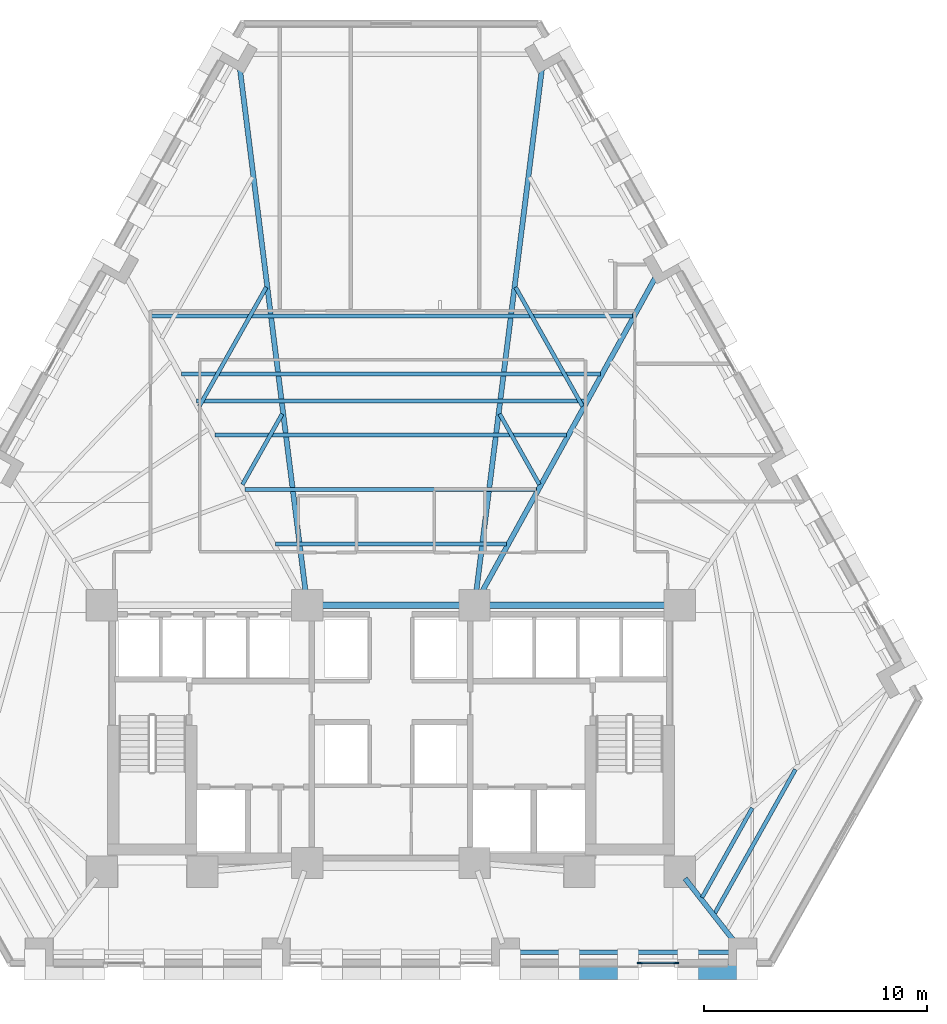
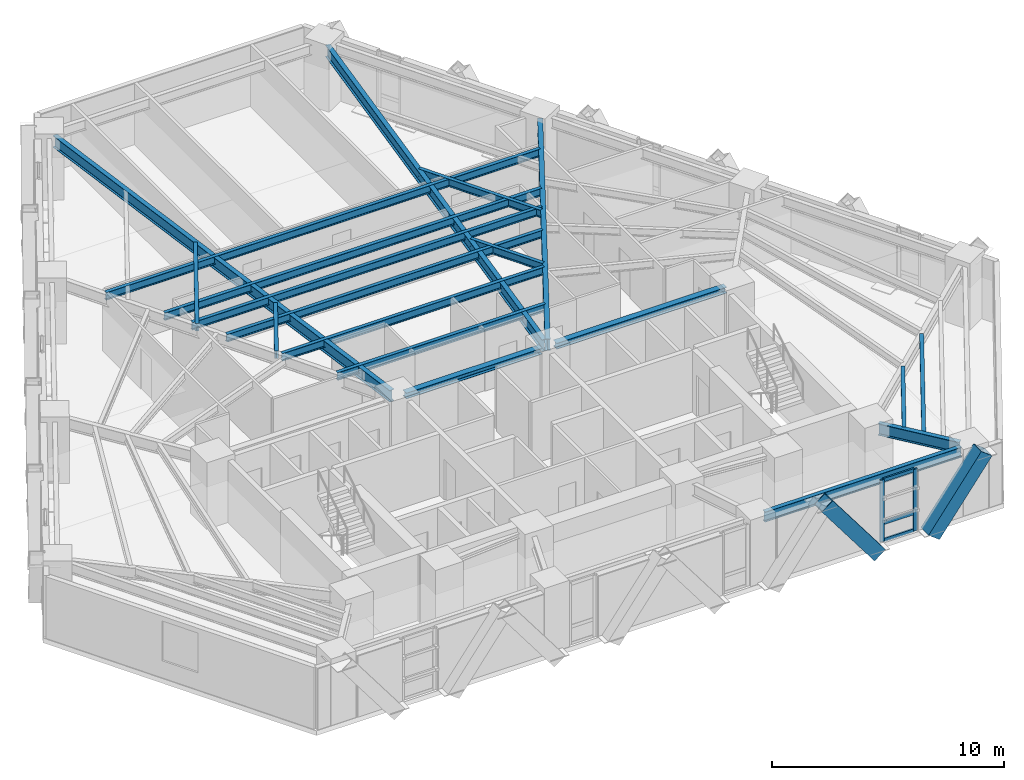
# One storey, part 3 of 13: 19 beams, 7 members, 1 element without a shape of its own.
"""IFC4 building model written with IfcOpenShell, lengths in metres."""

import ifcopenshell
import ifcopenshell.guid

model = None  # the IFC model being written
_history = None  # IfcOwnerHistory: only IFC2X3 demands one
_inside = {}  # id of a spatial element -> (the spatial element, [elements in it])
_under = {}  # id of a project, library or spatial element -> (it, [spatial elements below it])
_declared = {}  # id of a project -> (the project, [libraries it declares])
_typed = {}  # id of a type object -> (the type object, [elements of that type])
_made_of = {}  # id of a material, layer set ... -> (it, [elements and type objects made of it])


def new_model(schema):
    """Start an empty IFC model of exactly this schema.

    Asked for "IFC4X3", IfcOpenShell would pick the latest addendum, in which some entities
    have other attributes; the version numbers below select the first issue.
    IFC2X3 requires an IfcOwnerHistory on every rooted entity: one is made here for all.
    """
    global model, _history
    if schema == "IFC4X3":
        model = ifcopenshell.file(schema_version=(4, 3, 0, 0))
    else:
        model = ifcopenshell.file(schema=schema)
    _inside.clear()
    _under.clear()
    _declared.clear()
    _typed.clear()
    _made_of.clear()
    _history = None
    if model.schema == "IFC2X3":
        org = make("IfcOrganization", Name="unknown")
        user = make(
            "IfcPersonAndOrganization",
            ThePerson=make("IfcPerson", FamilyName="unknown"),
            TheOrganization=org,
        )
        app = make(
            "IfcApplication",
            ApplicationDeveloper=org,
            Version="unknown",
            ApplicationFullName="unknown",
            ApplicationIdentifier="unknown",
        )
        _history = make(
            "IfcOwnerHistory",
            OwningUser=user,
            OwningApplication=app,
            ChangeAction="ADDED",
            CreationDate=0,
        )
    return model


def make(cls, **values):
    """One entity of the class cls with the attributes given. An attribute that is None is left unset."""
    return model.create_entity(
        cls, **{name: value for name, value in values.items() if value is not None}
    )


def rooted(cls, **values):
    """An entity with a GlobalId (a new one), such as an element, a storey or a relation."""
    return make(cls, GlobalId=ifcopenshell.guid.new(), OwnerHistory=_history, **values)


def si_unit(unit_type, name, prefix=None):
    """IfcSIUnit, for example si_unit("LENGTHUNIT", "METRE", prefix="MILLI")."""
    return make("IfcSIUnit", UnitType=unit_type, Prefix=prefix, Name=name)


def assignment(units):
    """IfcUnitAssignment: the units of a project."""
    return None if units is None else make("IfcUnitAssignment", Units=units)


def point(xyz):
    """IfcCartesianPoint."""
    return None if xyz is None else make("IfcCartesianPoint", Coordinates=xyz)


def direction(xyz):
    """IfcDirection."""
    return None if xyz is None else make("IfcDirection", DirectionRatios=xyz)


def frame(location, z_axis=None, x_axis=None):
    """IfcAxis2Placement3D, a coordinate frame: its origin and axes. An axis left out is left unset."""
    return make(
        "IfcAxis2Placement3D",
        Location=point(location),
        Axis=direction(z_axis),
        RefDirection=direction(x_axis),
    )


def frame_2d(location, x_axis=None):
    """IfcAxis2Placement2D, a coordinate frame in the plane: its origin and x axis."""
    return make(
        "IfcAxis2Placement2D", Location=point(location), RefDirection=direction(x_axis)
    )


def origin():
    """The frame at (0, 0, 0) with its axes left unset."""
    return frame((0.0, 0.0, 0.0))


def origin_2d():
    """The frame at (0, 0) in the plane with its x axis left unset."""
    return frame_2d((0.0, 0.0))


def place(relative_to, where):
    """IfcLocalPlacement: puts the frame where relative to a parent placement (None: the world)."""
    return make(
        "IfcLocalPlacement", PlacementRelTo=relative_to, RelativePlacement=where
    )


def context(
    kind, dimensions, precision=None, world=None, true_north=None, identifier=None
):
    """IfcGeometricRepresentationContext, for example the 3D "Model" context."""
    return make(
        "IfcGeometricRepresentationContext",
        ContextIdentifier=identifier,
        ContextType=kind,
        CoordinateSpaceDimension=dimensions,
        Precision=precision,
        WorldCoordinateSystem=world,
        TrueNorth=true_north,
    )


def subcontext(parent, identifier, kind, view, scale=None):
    """IfcGeometricRepresentationSubContext, for example "Body" below "Model"."""
    return make(
        "IfcGeometricRepresentationSubContext",
        ContextIdentifier=identifier,
        ContextType=kind,
        ParentContext=parent,
        TargetScale=scale,
        TargetView=view,
    )


def project(units=None, contexts=None):
    """IfcProject with its units and contexts."""
    return rooted(
        "IfcProject",
        Name="project",
        RepresentationContexts=contexts,
        UnitsInContext=assignment(units),
    )


def spatial(cls, under=None, at=None, **own):
    """A site, building, storey or space (cls), placed at a placement, below another one or the project."""
    s = rooted(cls, ObjectPlacement=at, **own)
    if under is not None:
        _under.setdefault(under.id(), (under, []))[1].append(s)
    return s


def profile(cls, at=None, kind="AREA", **sizes):
    """A parametric profile (cls). Its sizes go by their IFC names, for example OverallWidth=200.0."""
    return make(cls, ProfileType=kind, Position=at, **sizes)


def rectangle(**sizes):
    """IfcRectangleProfileDef."""
    return profile("IfcRectangleProfileDef", **sizes)


def hollow_rectangle(**sizes):
    """IfcRectangleHollowProfileDef."""
    return profile("IfcRectangleHollowProfileDef", **sizes)


def i_section(**sizes):
    """IfcIShapeProfileDef."""
    return profile("IfcIShapeProfileDef", **sizes)


def extrude(swept, where, along, depth):
    """IfcExtrudedAreaSolid: the profile swept, set in the frame where, extruded along a direction by depth."""
    return make(
        "IfcExtrudedAreaSolid",
        SweptArea=swept,
        Position=where,
        ExtrudedDirection=direction(along),
        Depth=depth,
    )


def shape(context_of_items, identifier, shape_type, items):
    """IfcShapeRepresentation: the items that make up one representation, for example the "Body"."""
    return make(
        "IfcShapeRepresentation",
        ContextOfItems=context_of_items,
        RepresentationIdentifier=identifier,
        RepresentationType=shape_type,
        Items=items,
    )


def material(Name=None, Category=None):
    """IfcMaterial."""
    return make("IfcMaterial", Name=Name, Category=Category)


def material_profile(
    of_material, cross_section, Name=None, Category=None, Priority=None
):
    """IfcMaterialProfile: a cross section and its material."""
    return make(
        "IfcMaterialProfile",
        Name=Name,
        Material=of_material,
        Profile=cross_section,
        Priority=Priority,
        Category=Category,
    )


def profile_set(profiles, Name=None, composite=None):
    """IfcMaterialProfileSet."""
    return make(
        "IfcMaterialProfileSet",
        Name=Name,
        MaterialProfiles=profiles,
        CompositeProfile=composite,
    )


def made_of(thing, what):
    """Note that an element or type object is made of a material, layer set ...; save() writes the relation."""
    if what is not None:
        _made_of.setdefault(what.id(), (what, []))[1].append(thing)
    return thing


def type_object(cls, material=None, **own):
    """A type object (cls), such as IfcWallType, which elements share."""
    return made_of(rooted(cls, **own), material)


def element(
    cls,
    number,
    at=None,
    inside=None,
    cuts=None,
    type_object=None,
    material=None,
    context=None,
    identifier="Body",
    shape_type=None,
    held_by="IfcProductDefinitionShape",
    body=None,
    shapes=None,
    **own,
):
    """One element of the class cls, such as IfcWall. Its Tag is "e" and its number.

    at: its placement. inside: the storey or other place that contains it. cuts: it is an
    opening in that element (IfcRelVoidsElement). A single representation is given by context,
    identifier, shape_type and body (its items); several are given by shapes. held_by: the class
    of the entity that holds the representations. save() writes the other relations.
    """
    e = rooted(cls, Tag="e%d" % number, ObjectPlacement=at, **own)
    if body is not None:
        shapes = [shape(context, identifier, shape_type, body)]
    if shapes is not None:
        e.Representation = make(held_by, Representations=shapes)
    if inside is not None:
        _inside.setdefault(inside.id(), (inside, []))[1].append(e)
    if cuts is not None:
        rooted(
            "IfcRelVoidsElement", RelatingBuildingElement=cuts, RelatedOpeningElement=e
        )
    if type_object is not None:
        _typed.setdefault(type_object.id(), (type_object, []))[1].append(e)
    return made_of(e, material)


def aggregate(whole, parts):
    """IfcRelAggregates: a whole, such as a stair, and the parts it consists of."""
    return rooted("IfcRelAggregates", RelatingObject=whole, RelatedObjects=parts)


def save(model, path):
    """Write the relations noted so far, then the file.

    IfcRelAggregates (storeys below a building ...), IfcRelContainedInSpatialStructure (elements
    in a storey), IfcRelDefinesByType, IfcRelAssociatesMaterial and IfcRelDeclares: one each for
    every whole, place, type object, material and project.
    """
    for whole, parts in _under.values():
        aggregate(whole, parts)
    for where, things in _inside.values():
        rooted(
            "IfcRelContainedInSpatialStructure",
            RelatedElements=things,
            RelatingStructure=where,
        )
    for kind, things in _typed.values():
        rooted("IfcRelDefinesByType", RelatedObjects=things, RelatingType=kind)
    for what, things in _made_of.values():
        rooted("IfcRelAssociatesMaterial", RelatedObjects=things, RelatingMaterial=what)
    for by, libraries in _declared.values():
        rooted("IfcRelDeclares", RelatingContext=by, RelatedDefinitions=libraries)
    model.write(path)


model = new_model("IFC4")

# Units and contexts
model_context = context("Model", 3, precision=1e-05, world=origin(), true_north=direction((0.0, 1.0)))
body_context = subcontext(model_context, "Body", "Model", "MODEL_VIEW")
ifc_project = project(units=[si_unit("LENGTHUNIT", "METRE"), si_unit("AREAUNIT", "SQUARE_METRE"), si_unit("VOLUMEUNIT", "CUBIC_METRE"), si_unit("PLANEANGLEUNIT", "RADIAN"), si_unit("MASSUNIT", "GRAM", prefix="KILO")], contexts=[model_context])

# Site, building, storey
site_placement = place(None, origin())
site = spatial("IfcSite", under=ifc_project, at=site_placement, CompositionType="ELEMENT")
building_placement = place(site_placement, origin())
building = spatial("IfcBuilding", under=site, at=building_placement, Name="Quenlor Broadcast Tower", CompositionType="ELEMENT")
storey_placement = place(building_placement, frame((0.0, 0.0, 34.60009765625)))
storey = spatial("IfcBuildingStorey", under=building, at=storey_placement, Name="L08", CompositionType="ELEMENT", Elevation=34.60009765625)

# Curtain wall, members
ifc_material_1 = material(Name="Architectural Terracotta and Low-E Glazing", Category="masonry")
curtain_wall_type = type_object("IfcCurtainWallType", Name="Unitised Terracotta Curtain Wall System Z1", PredefinedType="NOTDEFINED", material=ifc_material_1)
curtain_wall_placement = place(storey_placement, origin())
curtain_wall = element("IfcCurtainWall", 1, at=curtain_wall_placement, inside=storey, type_object=curtain_wall_type, Name="L08 Curtain Wall CW1 (L08-SA-G1)", PredefinedType="NOTDEFINED")
ifc_material_2 = material(Name="Aluminium 6063-T6", Category="aluminium")
ifc_material_profile_1 = material_profile(ifc_material_2, rectangle(XDim=0.080078125, YDim=0.219970703125, at=origin_2d()))
ifc_profile_set_1 = profile_set([ifc_material_profile_1], Name="Aluminium 6063-T6 MULL80x220")
member_type_1 = type_object("IfcMemberType", Name="CW1 Aluminium Mullion MULL_CW1", PredefinedType="MULLION", material=ifc_profile_set_1)
member_1_placement = place(storey_placement, frame((12.794921875, -20.840087890625, 0.0), z_axis=(0.0, 0.0, 1.0), x_axis=(0.0, -1.0, 0.0)))
member_1 = element("IfcMember", 2, at=member_1_placement, type_object=member_type_1, Name="CW1 mullion 1", PredefinedType="MULLION", context=body_context, shape_type="SweptSolid", body=[
    extrude(rectangle(XDim=0.080078125, YDim=0.219970703125, at=origin_2d()), origin(), (0.0, 0.0, 1.0), 3.25),
])
member_2_placement = place(storey_placement, frame((11.146484375, -20.840087890625, 0.0), z_axis=(0.0, 0.0, 1.0), x_axis=(0.0, -1.0, 0.0)))
member_2 = element("IfcMember", 3, at=member_2_placement, type_object=member_type_1, Name="CW1 mullion 2", PredefinedType="MULLION", context=body_context, shape_type="SweptSolid", body=[
    extrude(rectangle(XDim=0.080078125, YDim=0.219970703125, at=origin_2d()), origin(), (0.0, 0.0, 1.0), 3.25),
])
ifc_material_3 = material(Name="Aluminium 6063-T6", Category="aluminium")
ifc_material_profile_2 = material_profile(ifc_material_3, rectangle(XDim=0.080078125, YDim=0.179931640625, at=origin_2d()))
ifc_profile_set_2 = profile_set([ifc_material_profile_2], Name="Aluminium 6063-T6 TRAN80x180")
member_type_2 = type_object("IfcMemberType", Name="CW1 Aluminium Transom TRAN_CW1", PredefinedType="USERDEFINED", material=ifc_profile_set_2)
member_3_placement = place(storey_placement, frame((12.7548828125, -20.840087890625, 0.039794921875), z_axis=(-1.0, 0.0, 0.0), x_axis=(0.0, -1.0, 0.0)))
member_3 = element("IfcMember", 4, at=member_3_placement, type_object=member_type_2, Name="CW1 transom 1.1", ObjectType="TRANSOM", PredefinedType="USERDEFINED", context=body_context, shape_type="SweptSolid", body=[
    extrude(rectangle(XDim=0.080078125, YDim=0.179931640625, at=origin_2d()), origin(), (0.0, 0.0, 1.0), 1.568359375),
])
member_4_placement = place(storey_placement, frame((12.7548828125, -20.840087890625, 0.949951171875), z_axis=(-1.0, 0.0, 0.0), x_axis=(0.0, -1.0, 0.0)))
member_4 = element("IfcMember", 5, at=member_4_placement, type_object=member_type_2, Name="CW1 transom 1.2", ObjectType="TRANSOM", PredefinedType="USERDEFINED", context=body_context, shape_type="SweptSolid", body=[
    extrude(rectangle(XDim=0.080078125, YDim=0.179931640625, at=origin_2d()), origin(), (0.0, 0.0, 1.0), 1.568359375),
])
member_5_placement = place(storey_placement, frame((12.7548828125, -20.840087890625, 3.2099609375), z_axis=(-1.0, 0.0, 0.0), x_axis=(0.0, -1.0, 0.0)))
member_5 = element("IfcMember", 6, at=member_5_placement, type_object=member_type_2, Name="CW1 transom 1.3", ObjectType="TRANSOM", PredefinedType="USERDEFINED", context=body_context, shape_type="SweptSolid", body=[
    extrude(rectangle(XDim=0.080078125, YDim=0.179931640625, at=origin_2d()), origin(), (0.0, 0.0, 1.0), 1.568359375),
])
aggregate(curtain_wall, [member_1, member_2, member_3, member_4, member_5])

# Beams
ifc_material_4 = material(Name="Steel S355", Category="steel")
ifc_material_profile_3 = material_profile(ifc_material_4, i_section(OverallWidth=0.304931640625, OverallDepth=0.30810546875, WebThickness=0.010009765625, FlangeThickness=0.015380859375, FilletRadius=0.0166015625, at=origin_2d()))
ifc_profile_set_3 = profile_set([ifc_material_profile_3], Name="Steel S355 310UC96.8")
beam_type_1 = type_object("IfcBeamType", Name="Core Header Beam Steel S355 310UC96.8", PredefinedType="BEAM", material=ifc_profile_set_3)
beam_1_placement = place(storey_placement, frame((-3.389892578125, -4.800048828125, 3.095947265625), z_axis=(1.0, 0.0, 0.0), x_axis=(0.0, 1.0, 0.0)))
element("IfcBeam", 7, at=beam_1_placement, inside=storey, type_object=beam_type_1, Name="L08 Core Header Beam 2", PredefinedType="BEAM", context=body_context, shape_type="SweptSolid", body=[
    extrude(i_section(OverallWidth=0.304931640625, OverallDepth=0.30810546875, WebThickness=0.010009765625, FlangeThickness=0.015380859375, FilletRadius=0.0166015625, at=origin_2d()), origin(), (0.0, 0.0, 1.0), 6.77978515625),
])
ifc_material_5 = material(Name="Steel S355", Category="steel")
ifc_material_profile_4 = material_profile(ifc_material_5, i_section(OverallWidth=0.306884765625, OverallDepth=0.314697265625, WebThickness=0.011962890625, FlangeThickness=0.018798828125, FilletRadius=0.0166015625, at=origin_2d()))
ifc_profile_set_4 = profile_set([ifc_material_profile_4], Name="Steel S355 310UC118")
beam_type_2 = type_object("IfcBeamType", Name="Core Tie Beam Steel S355 310UC118", PredefinedType="BEAM", material=ifc_profile_set_4)
beam_2_placement = place(storey_placement, frame((4.110107421875, -4.800048828125, 3.092529296875), z_axis=(1.0, 0.0, 0.0), x_axis=(0.0, 1.0, 0.0)))
element("IfcBeam", 8, at=beam_2_placement, inside=storey, type_object=beam_type_2, Name="L08 Core Tie Beam 3", PredefinedType="BEAM", context=body_context, shape_type="SweptSolid", body=[
    extrude(i_section(OverallWidth=0.306884765625, OverallDepth=0.314697265625, WebThickness=0.011962890625, FlangeThickness=0.018798828125, FilletRadius=0.0166015625, at=origin_2d()), origin(), (0.0, 0.0, 1.0), 8.47998046875),
])

# Members
ifc_material_6 = material(Name="Steel S355", Category="steel")
ifc_material_profile_5 = material_profile(ifc_material_6, hollow_rectangle(XDim=0.679931640625, YDim=0.679931640625, WallThickness=0.034912109375, at=origin_2d()))
ifc_profile_set_5 = profile_set([ifc_material_profile_5], Name="Steel S355 RHS680x680x35")
member_type_3 = type_object("IfcMemberType", Name="Perimeter Diagonal Lattice Brace Z1 Steel S355 RHS680x35", PredefinedType="BRACE", material=ifc_profile_set_5)
for number, where, z_axis, x_axis, name in (
    (9, (10.624755859375, -21.235107421875, -0.1201171875), (-0.600463982679, 0.0, 0.799651802665), (0.0, -1.0, 0.0), "L08 Perimeter Diamond Lattice S-C1S"),
    (10, (13.31689453125, -21.235107421875, -0.1201171875), (0.600463982679, 0.0, 0.799651802665), (0.0, 1.0, 0.0), "L08 Perimeter Diamond Lattice S-C1B"),
):
    element("IfcMember", number, at=place(storey_placement, frame(where, z_axis=z_axis, x_axis=x_axis)), inside=storey, type_object=member_type_3, Name=name, PredefinedType="BRACE", context=body_context, shape_type="SweptSolid", body=[
        extrude(hollow_rectangle(XDim=0.679931640625, YDim=0.679931640625, WallThickness=0.034912109375, at=origin_2d()), origin(), (0.0, 0.0, 1.0), 4.376953125),
    ])

# Beams
ifc_material_7 = material(Name="Steel S355", Category="steel")
ifc_material_profile_6 = material_profile(ifc_material_7, i_section(OverallWidth=0.208984375, OverallDepth=0.532958984375, WebThickness=0.01025390625, FlangeThickness=0.015625, FilletRadius=0.013916015625, at=origin_2d()))
ifc_profile_set_6 = profile_set([ifc_material_profile_6], Name="Steel S355 530UB92.4")
beam_type_3 = type_object("IfcBeamType", Name="Perimeter Spandrel Beam Z1 Steel S355 530UB92.4", PredefinedType="SPANDREL", material=ifc_profile_set_6)
beam_3_placement = place(storey_placement, frame((5.55078125, -20.35009765625, 2.9833984375), z_axis=(1.0, 0.0, 0.0), x_axis=(0.0, 1.0, 0.0)))
element("IfcBeam", 11, at=beam_3_placement, inside=storey, type_object=beam_type_3, Name="L08 Spandrel Beam S3-S4", PredefinedType="SPANDREL", context=body_context, shape_type="SweptSolid", body=[
    extrude(i_section(OverallWidth=0.208984375, OverallDepth=0.532958984375, WebThickness=0.01025390625, FlangeThickness=0.015625, FilletRadius=0.013916015625, at=origin_2d()), origin(), (0.0, 0.0, 1.0), 9.80419921875),
])
ifc_material_8 = material(Name="Steel S355", Category="steel")
ifc_material_profile_7 = material_profile(ifc_material_8, i_section(OverallWidth=0.177978515625, OverallDepth=0.406494140625, WebThickness=0.0078125, FlangeThickness=0.0126953125, FilletRadius=0.011474609375, at=origin_2d()))
ifc_profile_set_7 = profile_set([ifc_material_profile_7], Name="Steel S355 410UB59.7")
beam_type_4 = type_object("IfcBeamType", Name="Tower Composite Joist Z1 Steel S355 410UB59.7", PredefinedType="JOIST", material=ifc_profile_set_7)
beam_4_placement = place(storey_placement, frame((-5.184326171875, -2.0546875, 3.046630859375), z_axis=(1.0, 0.0, 0.0), x_axis=(0.0, 1.0, 0.0)))
element("IfcBeam", 12, at=beam_4_placement, inside=storey, type_object=beam_type_4, Name="L08 Secondary Composite Joist 1", PredefinedType="JOIST", context=body_context, shape_type="SweptSolid", body=[
    extrude(i_section(OverallWidth=0.177978515625, OverallDepth=0.406494140625, WebThickness=0.0078125, FlangeThickness=0.0126953125, FilletRadius=0.011474609375, at=origin_2d()), origin(), (0.0, 0.0, 1.0), 10.36865234375),
])
beam_5_placement = place(storey_placement, frame((-8.718017578125, 4.3505859375, 3.046630859375), z_axis=(1.0, 0.0, 0.0), x_axis=(0.0, 1.0, 0.0)))
element("IfcBeam", 13, at=beam_5_placement, inside=storey, type_object=beam_type_4, Name="L08 Secondary Composite Joist 2", PredefinedType="JOIST", context=body_context, shape_type="SweptSolid", body=[
    extrude(i_section(OverallWidth=0.177978515625, OverallDepth=0.406494140625, WebThickness=0.0078125, FlangeThickness=0.0126953125, FilletRadius=0.011474609375, at=origin_2d()), origin(), (0.0, 0.0, 1.0), 17.43603515625),
])
beam_6_placement = place(storey_placement, frame((-6.530517578125, 0.38525390625, 3.046630859375), z_axis=(1.0, 0.0, 0.0), x_axis=(0.0, 1.0, 0.0)))
element("IfcBeam", 14, at=beam_6_placement, inside=storey, type_object=beam_type_4, Name="L08 Secondary Composite Joist 3", PredefinedType="JOIST", context=body_context, shape_type="SweptSolid", body=[
    extrude(i_section(OverallWidth=0.177978515625, OverallDepth=0.406494140625, WebThickness=0.0078125, FlangeThickness=0.0126953125, FilletRadius=0.011474609375, at=origin_2d()), origin(), (0.0, 0.0, 1.0), 13.06103515625),
])
beam_7_placement = place(storey_placement, frame((-7.87646484375, 2.825439453125, 3.046630859375), z_axis=(1.0, 0.0, 0.0), x_axis=(0.0, 1.0, 0.0)))
element("IfcBeam", 15, at=beam_7_placement, inside=storey, type_object=beam_type_4, Name="L08 Secondary Composite Joist 4", PredefinedType="JOIST", context=body_context, shape_type="SweptSolid", body=[
    extrude(i_section(OverallWidth=0.177978515625, OverallDepth=0.406494140625, WebThickness=0.0078125, FlangeThickness=0.0126953125, FilletRadius=0.011474609375, at=origin_2d()), origin(), (0.0, 0.0, 1.0), 15.7529296875),
])
beam_8_placement = place(storey_placement, frame((-9.390869140625, 5.570556640625, 3.046630859375), z_axis=(1.0, 0.0, 0.0), x_axis=(0.0, 1.0, 0.0)))
element("IfcBeam", 16, at=beam_8_placement, inside=storey, type_object=beam_type_4, Name="L08 Secondary Composite Joist 5", PredefinedType="JOIST", context=body_context, shape_type="SweptSolid", body=[
    extrude(i_section(OverallWidth=0.177978515625, OverallDepth=0.406494140625, WebThickness=0.0078125, FlangeThickness=0.0126953125, FilletRadius=0.011474609375, at=origin_2d()), origin(), (0.0, 0.0, 1.0), 18.78173828125),
])
beam_9_placement = place(storey_placement, frame((-10.821044921875, 8.163330078125, 3.046630859375), z_axis=(1.0, 0.0, 0.0), x_axis=(0.0, 1.0, 0.0)))
element("IfcBeam", 17, at=beam_9_placement, inside=storey, type_object=beam_type_4, Name="L08 Secondary Composite Joist 6", PredefinedType="JOIST", context=body_context, shape_type="SweptSolid", body=[
    extrude(i_section(OverallWidth=0.177978515625, OverallDepth=0.406494140625, WebThickness=0.0078125, FlangeThickness=0.0126953125, FilletRadius=0.011474609375, at=origin_2d()), origin(), (0.0, 0.0, 1.0), 21.64208984375),
])
beam_10_placement = place(storey_placement, frame((13.9462890625, -17.904296875, 3.046630859375), z_axis=(0.489062021968, 0.872249011848, 0.0), x_axis=(-0.872249011848, 0.489062021968, 0.0)))
element("IfcBeam", 18, at=beam_10_placement, inside=storey, type_object=beam_type_4, Name="L08 Secondary Composite Joist 22", PredefinedType="JOIST", context=body_context, shape_type="SweptSolid", body=[
    extrude(i_section(OverallWidth=0.177978515625, OverallDepth=0.406494140625, WebThickness=0.0078125, FlangeThickness=0.0126953125, FilletRadius=0.011474609375, at=origin_2d()), origin(), (0.0, 0.0, 1.0), 4.6025390625),
])
beam_11_placement = place(storey_placement, frame((14.50927734375, -18.624267578125, 3.046630859375), z_axis=(0.489088249322, 0.872234305892, 0.0), x_axis=(-0.872234305892, 0.489088249322, 0.0)))
element("IfcBeam", 19, at=beam_11_placement, inside=storey, type_object=beam_type_4, Name="L08 Secondary Composite Joist 23", PredefinedType="JOIST", context=body_context, shape_type="SweptSolid", body=[
    extrude(i_section(OverallWidth=0.177978515625, OverallDepth=0.406494140625, WebThickness=0.0078125, FlangeThickness=0.0126953125, FilletRadius=0.011474609375, at=origin_2d()), origin(), (0.0, 0.0, 1.0), 7.404296875),
])
beam_12_placement = place(storey_placement, frame((-4.87451171875, 3.7734375, 3.046630859375), z_axis=(-0.490286766726, -0.871561177642, 0.0), x_axis=(0.871561177642, -0.490286766726, 0.0)))
element("IfcBeam", 20, at=beam_12_placement, inside=storey, type_object=beam_type_4, Name="L08 Secondary Composite Joist 25", PredefinedType="JOIST", context=body_context, shape_type="SweptSolid", body=[
    extrude(i_section(OverallWidth=0.177978515625, OverallDepth=0.406494140625, WebThickness=0.0078125, FlangeThickness=0.0126953125, FilletRadius=0.011474609375, at=origin_2d()), origin(), (0.0, 0.0, 1.0), 3.632568359375),
])
beam_13_placement = place(storey_placement, frame((-5.587646484375, 9.453125, 3.046630859375), z_axis=(-0.490276380443, -0.871567020246, 0.0), x_axis=(0.871567020246, -0.490276380443, 0.0)))
element("IfcBeam", 21, at=beam_13_placement, inside=storey, type_object=beam_type_4, Name="L08 Secondary Composite Joist 26", PredefinedType="JOIST", context=body_context, shape_type="SweptSolid", body=[
    extrude(i_section(OverallWidth=0.177978515625, OverallDepth=0.406494140625, WebThickness=0.0078125, FlangeThickness=0.0126953125, FilletRadius=0.011474609375, at=origin_2d()), origin(), (0.0, 0.0, 1.0), 6.12451171875),
])
beam_14_placement = place(storey_placement, frame((4.87451171875, 3.7734375, 3.046630859375), z_axis=(0.490286766726, -0.871561177642, 0.0), x_axis=(0.871561177642, 0.490286766726, 0.0)))
element("IfcBeam", 22, at=beam_14_placement, inside=storey, type_object=beam_type_4, Name="L08 Secondary Composite Joist 28", PredefinedType="JOIST", context=body_context, shape_type="SweptSolid", body=[
    extrude(i_section(OverallWidth=0.177978515625, OverallDepth=0.406494140625, WebThickness=0.0078125, FlangeThickness=0.0126953125, FilletRadius=0.011474609375, at=origin_2d()), origin(), (0.0, 0.0, 1.0), 3.632568359375),
])
beam_15_placement = place(storey_placement, frame((5.587646484375, 9.453125, 3.046630859375), z_axis=(0.490276380443, -0.871567020246, 0.0), x_axis=(0.871567020246, 0.490276380443, 0.0)))
element("IfcBeam", 23, at=beam_15_placement, inside=storey, type_object=beam_type_4, Name="L08 Secondary Composite Joist 29", PredefinedType="JOIST", context=body_context, shape_type="SweptSolid", body=[
    extrude(i_section(OverallWidth=0.177978515625, OverallDepth=0.406494140625, WebThickness=0.0078125, FlangeThickness=0.0126953125, FilletRadius=0.011474609375, at=origin_2d()), origin(), (0.0, 0.0, 1.0), 6.12451171875),
])
ifc_material_9 = material(Name="Steel S355", Category="steel")
ifc_material_profile_8 = material_profile(ifc_material_9, i_section(OverallWidth=0.22900390625, OverallDepth=0.611572265625, WebThickness=0.011962890625, FlangeThickness=0.01953125, FilletRadius=0.013916015625, at=origin_2d()))
ifc_profile_set_8 = profile_set([ifc_material_profile_8], Name="Steel S355 610UB125")
beam_type_5 = type_object("IfcBeamType", Name="Tower Primary Floor Beam Z1 Steel S355 610UB125", PredefinedType="BEAM", material=ifc_profile_set_8)
beam_16_placement = place(storey_placement, frame((15.512451171875, -20.027099609375, 2.944091796875), z_axis=(-0.615968610193, 0.78777069713, 0.0), x_axis=(-0.78777069713, -0.615968610193, 0.0)))
element("IfcBeam", 24, at=beam_16_placement, inside=storey, type_object=beam_type_5, Name="L08 Primary Radial Beam S4", PredefinedType="BEAM", context=body_context, shape_type="SweptSolid", body=[
    extrude(i_section(OverallWidth=0.22900390625, OverallDepth=0.611572265625, WebThickness=0.011962890625, FlangeThickness=0.01953125, FilletRadius=0.013916015625, at=origin_2d()), origin(), (0.0, 0.0, 1.0), 3.780029296875),
])
beam_17_placement = place(storey_placement, frame((11.965087890625, 10.091796875, 2.944091796875), z_axis=(-0.483026493693, -0.875605736842, 0.0), x_axis=(0.875605736842, -0.483026493693, 0.0)))
element("IfcBeam", 25, at=beam_17_placement, inside=storey, type_object=beam_type_5, Name="L08 Primary Radial Beam NE3", PredefinedType="BEAM", context=body_context, shape_type="SweptSolid", body=[
    extrude(i_section(OverallWidth=0.22900390625, OverallDepth=0.611572265625, WebThickness=0.011962890625, FlangeThickness=0.01953125, FilletRadius=0.013916015625, at=origin_2d()), origin(), (0.0, 0.0, 1.0), 16.62744140625),
])
for number, where, z_axis, x_axis, name in (
    (26, (6.7998046875, 19.48779296875, 2.944091796875), (-0.124589575762, -0.99220836401, 0.0), (0.99220836401, -0.124589575762, 0.0), "L08 Primary Radial Beam NE4"),
    (27, (-6.7998046875, 19.48779296875, 2.944091796875), (0.124589575762, -0.99220836401, 0.0), (0.99220836401, 0.124589575762, 0.0), "L08 Primary Radial Beam NW1"),
):
    element("IfcBeam", number, at=place(storey_placement, frame(where, z_axis=z_axis, x_axis=x_axis)), inside=storey, type_object=beam_type_5, Name=name, PredefinedType="BEAM", context=body_context, shape_type="SweptSolid", body=[
        extrude(i_section(OverallWidth=0.22900390625, OverallDepth=0.611572265625, WebThickness=0.011962890625, FlangeThickness=0.01953125, FilletRadius=0.013916015625, at=origin_2d()), origin(), (0.0, 0.0, 1.0), 24.0986328125),
    ])

save(model, "model.ifc")
